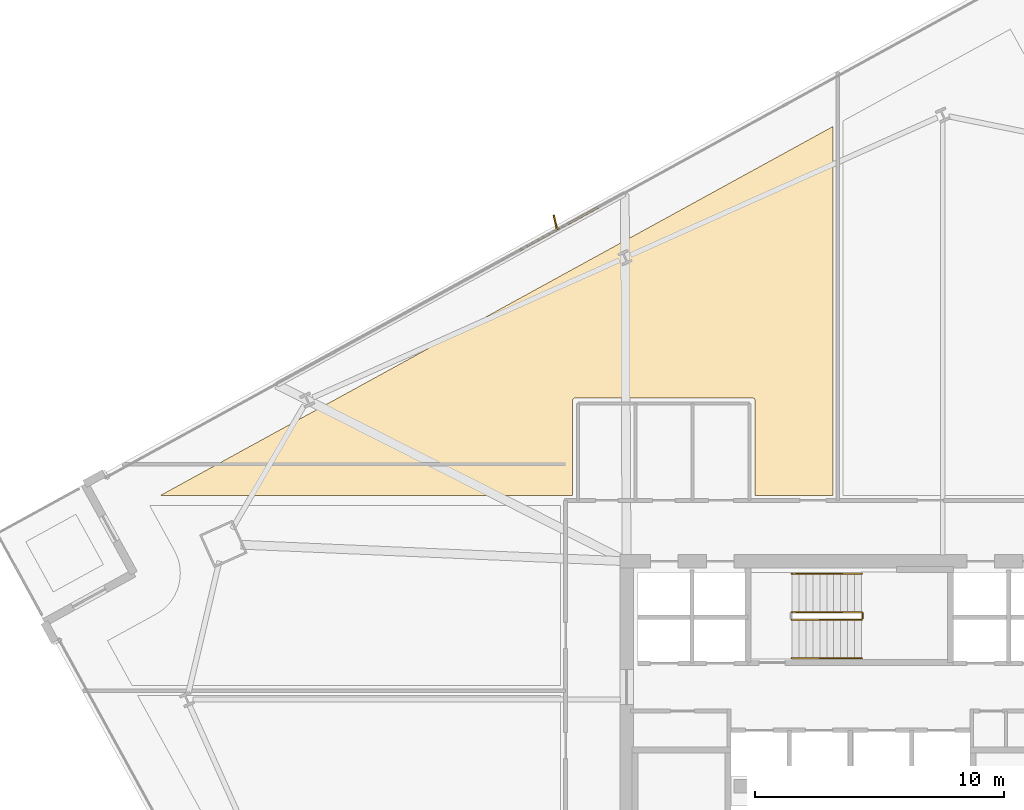
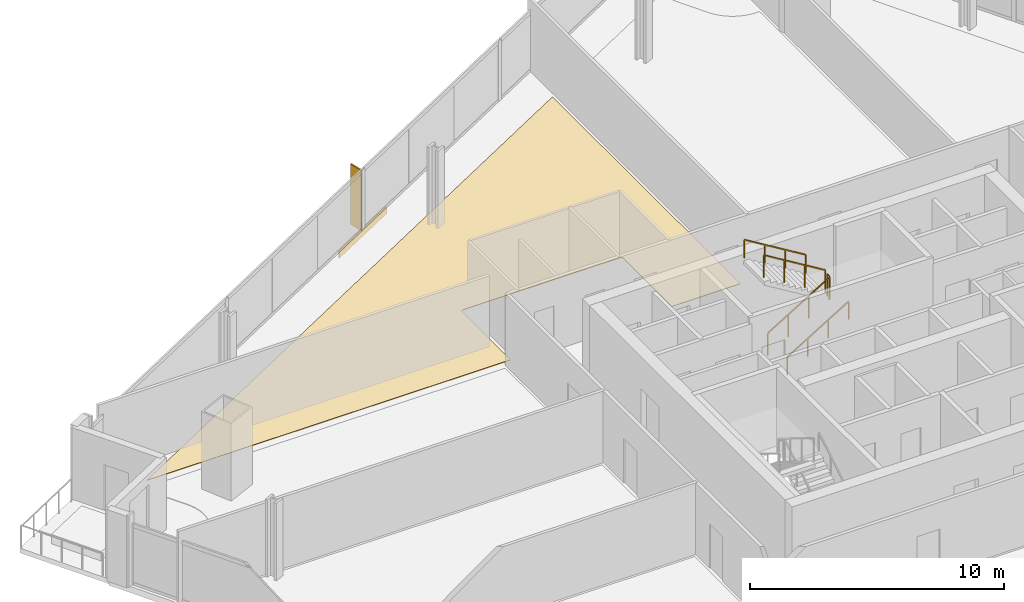
# One storey, part 32 of 33: 5 railings, 2 coverings, 1 shading device.
"""IFC4 building model written with IfcOpenShell, lengths in metres."""

from ifc_helpers import new_model, si_unit, direction, frame, origin, origin_2d, place, context, subcontext, project, spatial, polyline, rectangle, outline, extrude, source, transform, mapped, material, layer, layer_set, type_object, element, save


model = new_model("IFC4")

# Units and contexts
model_context = context("Model", 3, precision=1e-05, world=origin(), true_north=direction((0.0, 1.0)))
body_context = subcontext(model_context, "Body", "Model", "MODEL_VIEW")
ifc_project = project(units=[si_unit("LENGTHUNIT", "METRE"), si_unit("AREAUNIT", "SQUARE_METRE"), si_unit("VOLUMEUNIT", "CUBIC_METRE"), si_unit("PLANEANGLEUNIT", "RADIAN"), si_unit("MASSUNIT", "GRAM", prefix="KILO")], contexts=[model_context])

# Site, building, storey
site_placement = place(None, origin())
site = spatial("IfcSite", under=ifc_project, at=site_placement, CompositionType="ELEMENT")
building_placement = place(site_placement, origin())
building = spatial("IfcBuilding", under=site, at=building_placement, Name="Haldenkirk Collegiate Tower", CompositionType="ELEMENT")
storey_placement = place(building_placement, frame((0.0, 0.0, 124.199951171875)))
storey = spatial("IfcBuildingStorey", under=building, at=storey_placement, Name="L30", CompositionType="ELEMENT", Elevation=124.199951171875)

# Covering
ifc_material_1 = material(Name="Engineered collegiate oak acoustic flooring", Category="wood")
ifc_layer_1 = layer(ifc_material_1, 0.02197265625)
ifc_layer_set_1 = layer_set([ifc_layer_1], Name="Engineered collegiate oak acoustic flooring")
covering_type_1 = type_object("IfcCoveringType", Name="COV-FLOOR-TIMBER", PredefinedType="FLOORING", material=ifc_layer_set_1)
covering_1_placement = place(storey_placement, origin())
element("IfcCovering", 1, at=covering_1_placement, inside=storey, type_object=covering_type_1, Name="L30 academic room finish 05", PredefinedType="FLOORING", context=body_context, shape_type="SweptSolid", body=[
    extrude(outline(polyline([(32.169921875, 40.449951171875), (32.16943359375, 40.4619140625), (32.167724609375, 40.473388671875), (32.164794921875, 40.48486328125), (32.160888671875, 40.495849609375), (32.15576171875, 40.506591796875), (32.14990234375, 40.5166015625), (32.142822265625, 40.526123046875), (32.135009765625, 40.534912109375), (32.126220703125, 40.542724609375), (32.11669921875, 40.5498046875), (32.106689453125, 40.555908203125), (32.095947265625, 40.560791015625), (32.084716796875, 40.564697265625), (32.073486328125, 40.567626953125), (32.061767578125, 40.5693359375), (32.050048828125, 40.570068359375), (24.949951171875, 40.570068359375), (24.938232421875, 40.5693359375), (24.926513671875, 40.567626953125), (24.915283203125, 40.564697265625), (24.904052734375, 40.560791015625), (24.893310546875, 40.555908203125), (24.88330078125, 40.5498046875), (24.873779296875, 40.542724609375), (24.864990234375, 40.534912109375), (24.857177734375, 40.526123046875), (24.85009765625, 40.5166015625), (24.84423828125, 40.506591796875), (24.839111328125, 40.495849609375), (24.835205078125, 40.48486328125), (24.832275390625, 40.473388671875), (24.83056640625, 40.4619140625), (24.830078125, 40.449951171875), (24.830078125, 36.64990234375), (8.259521484375, 36.64990234375), (35.300048828125, 51.48486328125), (35.300048828125, 36.64990234375), (32.169921875, 36.64990234375), (32.169921875, 40.449951171875)])), origin(), (0.0, 0.0, 1.0), 0.02197265625),
])

# Railings
ifc_material_2 = material(Name="Painted architectural tubular steel", Category="steel")
railing_type_1 = type_object("IfcRailingType", Name="RLG-STAIR-GUARD-1100", PredefinedType="BALUSTRADE", material=ifc_material_2)
railing_1_placement = place(storey_placement, frame((33.64990234375, 31.64990234375, 0.17041015625)))
element("IfcRailing", 2, at=railing_1_placement, inside=storey, type_object=railing_type_1, Name="L30 ST-3 stair guard 1", PredefinedType="BALUSTRADE", context=body_context, shape_type="SweptSolid", body=[
    extrude(rectangle(XDim=0.048095703125, YDim=0.048095703125, at=origin_2d()), frame((0.0, 0.0, 1.076171875), z_axis=(0.854169791009, 0.0, 0.51999420009), x_axis=(0.0, 1.0, 0.0)), (0.0, 0.0, 1.0), 3.278076171875),
    extrude(rectangle(XDim=0.0419921875, YDim=0.0419921875, at=origin_2d()), origin(), (0.0, 0.0, 1.0), 1.052001953125),
    extrude(rectangle(XDim=0.0419921875, YDim=0.0419921875, at=origin_2d()), frame((0.933349609375, 0.0, 0.568115234375)), (0.0, 0.0, 1.0), 1.052001953125),
    extrude(rectangle(XDim=0.0419921875, YDim=0.0419921875, at=origin_2d()), frame((1.86669921875, 0.0, 1.136474609375)), (0.0, 0.0, 1.0), 1.052001953125),
    extrude(rectangle(XDim=0.0419921875, YDim=0.0419921875, at=origin_2d()), frame((2.800048828125, 0.0, 1.70458984375)), (0.0, 0.0, 1.0), 1.052001953125),
])
railing_2_placement = place(storey_placement, frame((36.5, 31.699951171875, 1.875)))
element("IfcRailing", 3, at=railing_2_placement, inside=storey, type_object=railing_type_1, Name="L30 ST-3 stair guard 2", PredefinedType="BALUSTRADE", context=body_context, shape_type="SweptSolid", body=[
    extrude(rectangle(XDim=0.048095703125, YDim=0.048095703125, at=origin_2d()), frame((0.0, 0.0, 1.076171875), z_axis=(0.0, 1.0, 0.0), x_axis=(-1.0, 0.0, 0.0)), (0.0, 0.0, 1.0), 0.199951171875),
    extrude(rectangle(XDim=0.0419921875, YDim=0.0419921875, at=origin_2d()), origin(), (0.0, 0.0, 1.0), 1.052001953125),
    extrude(rectangle(XDim=0.0419921875, YDim=0.0419921875, at=origin_2d()), frame((0.0, 0.199951171875, 0.0)), (0.0, 0.0, 1.0), 1.052001953125),
])
railing_3_placement = place(storey_placement, frame((36.449951171875, 31.949951171875, 2.04541015625)))
element("IfcRailing", 4, at=railing_3_placement, inside=storey, type_object=railing_type_1, Name="L30 ST-3 stair guard 3", PredefinedType="BALUSTRADE", context=body_context, shape_type="SweptSolid", body=[
    extrude(rectangle(XDim=0.048095703125, YDim=0.048095703125, at=origin_2d()), frame((0.0, 0.0, 1.076171875), z_axis=(-0.854169791009, 0.0, 0.51999420009), x_axis=(0.0, -1.0, 0.0)), (0.0, 0.0, 1.0), 3.278076171875),
    extrude(rectangle(XDim=0.0419921875, YDim=0.0419921875, at=origin_2d()), origin(), (0.0, 0.0, 1.0), 1.052001953125),
    extrude(rectangle(XDim=0.0419921875, YDim=0.0419921875, at=origin_2d()), frame((-0.933349609375, 0.0, 0.568115234375)), (0.0, 0.0, 1.0), 1.052001953125),
    extrude(rectangle(XDim=0.0419921875, YDim=0.0419921875, at=origin_2d()), frame((-1.86669921875, 0.0, 1.136474609375)), (0.0, 0.0, 1.0), 1.052001953125),
    extrude(rectangle(XDim=0.0419921875, YDim=0.0419921875, at=origin_2d()), frame((-2.800048828125, 0.0, 1.70458984375)), (0.0, 0.0, 1.0), 1.052001953125),
])
railing_type_2 = type_object("IfcRailingType", Name="RLG-STAIR-HANDRAIL-900", PredefinedType="HANDRAIL", material=ifc_material_2)
railing_4_placement = place(storey_placement, frame((33.64990234375, 30.10009765625, 0.17041015625)))
element("IfcRailing", 5, at=railing_4_placement, inside=storey, type_object=railing_type_2, Name="L30 ST-3 stair handrail 1", PredefinedType="HANDRAIL", context=body_context, shape_type="SweptSolid", body=[
    extrude(rectangle(XDim=0.048095703125, YDim=0.048095703125, at=origin_2d()), frame((0.0, 0.0, 0.8759765625), z_axis=(0.854169791009, 0.0, 0.51999420009), x_axis=(0.0, 1.0, 0.0)), (0.0, 0.0, 1.0), 3.278076171875),
    extrude(rectangle(XDim=0.0419921875, YDim=0.0419921875, at=origin_2d()), origin(), (0.0, 0.0, 1.0), 0.851806640625),
    extrude(rectangle(XDim=0.0419921875, YDim=0.0419921875, at=origin_2d()), frame((0.933349609375, 0.0, 0.568115234375)), (0.0, 0.0, 1.0), 0.851806640625),
    extrude(rectangle(XDim=0.0419921875, YDim=0.0419921875, at=origin_2d()), frame((1.86669921875, 0.0, 1.136474609375)), (0.0, 0.0, 1.0), 0.851806640625),
    extrude(rectangle(XDim=0.0419921875, YDim=0.0419921875, at=origin_2d()), frame((2.800048828125, 0.0, 1.70458984375)), (0.0, 0.0, 1.0), 0.851806640625),
])
railing_5_placement = place(storey_placement, frame((36.449951171875, 33.5, 2.04541015625)))
element("IfcRailing", 6, at=railing_5_placement, inside=storey, type_object=railing_type_2, Name="L30 ST-3 stair handrail 2", PredefinedType="HANDRAIL", context=body_context, shape_type="SweptSolid", body=[
    extrude(rectangle(XDim=0.048095703125, YDim=0.048095703125, at=origin_2d()), frame((0.0, 0.0, 0.8759765625), z_axis=(-0.854169791009, 0.0, 0.51999420009), x_axis=(0.0, -1.0, 0.0)), (0.0, 0.0, 1.0), 3.278076171875),
    extrude(rectangle(XDim=0.0419921875, YDim=0.0419921875, at=origin_2d()), origin(), (0.0, 0.0, 1.0), 0.851806640625),
    extrude(rectangle(XDim=0.0419921875, YDim=0.0419921875, at=origin_2d()), frame((-0.933349609375, 0.0, 0.568115234375)), (0.0, 0.0, 1.0), 0.851806640625),
    extrude(rectangle(XDim=0.0419921875, YDim=0.0419921875, at=origin_2d()), frame((-1.86669921875, 0.0, 1.136474609375)), (0.0, 0.0, 1.0), 0.851806640625),
    extrude(rectangle(XDim=0.0419921875, YDim=0.0419921875, at=origin_2d()), frame((-2.800048828125, 0.0, 1.70458984375)), (0.0, 0.0, 1.0), 0.851806640625),
])

# Covering
ifc_material_3 = material(Name="Anodised architectural bronze aluminium", Category="aluminium")
ifc_layer_2 = layer(ifc_material_3, 0.06005859375)
ifc_layer_set_2 = layer_set([ifc_layer_2], Name="Anodised architectural bronze aluminium")
covering_type_2 = type_object("IfcCoveringType", Name="COV-CLAD-BRONZE-60", PredefinedType="CLADDING", material=ifc_layer_set_2)
shared_shape_1 = source(origin(), body_context, "Body", "SweptSolid", [
    extrude(rectangle(XDim=3.60009765625, YDim=0.06005859375, at=origin_2d()), origin(), (0.0, 0.0, 1.0), 0.300048828125),
])
covering_2_placement = place(storey_placement, frame((24.2783203125, 47.36572265625, -0.2998046875), z_axis=(0.0, 0.0, 1.0), x_axis=(0.876726755708, 0.480988768919, 0.0)))
element("IfcCovering", 7, at=covering_2_placement, inside=storey, type_object=covering_type_2, Name="L30 architectural bronze spandrel cladding N", PredefinedType="CLADDING", context=body_context, shape_type="MappedRepresentation", body=[
    mapped(shared_shape_1, transform((0.0, 0.0, 0.0), x_axis=(1.0, 0.0, 0.0), y_axis=(0.0, 1.0, 0.0), z_axis=(0.0, 0.0, 1.0), scale=1.0)),
])

# Shading device
ifc_layer_3 = layer(ifc_material_3, 0.06494140625)
ifc_layer_set_3 = layer_set([ifc_layer_3], Name="Anodised architectural bronze aluminium")
shading_device_type = type_object("IfcShadingDeviceType", Name="SHD-FIN-BRONZE-620", PredefinedType="USERDEFINED", material=ifc_layer_set_3)
shared_shape_2 = source(origin(), body_context, "Body", "SweptSolid", [
    extrude(rectangle(XDim=0.6201171875, YDim=0.06494140625, at=origin_2d()), origin(), (0.0, 0.0, 1.0), 2.90087890625),
])
shading_device_placement = place(storey_placement, frame((24.136474609375, 47.62451171875, 0.0), z_axis=(0.0, 0.0, 1.0), x_axis=(-0.220697435022, 0.975342320509, 0.0)))
element("IfcShadingDevice", 8, at=shading_device_placement, inside=storey, type_object=shading_device_type, Name="L30 folded bronze solar fin 1", ObjectType="FIN", PredefinedType="USERDEFINED", context=body_context, shape_type="MappedRepresentation", body=[
    mapped(shared_shape_2, transform((0.0, 0.0, 0.0), x_axis=(1.0, 0.0, 0.0), y_axis=(0.0, 1.0, 0.0), z_axis=(0.0, 0.0, 1.0), scale=1.0)),
])

save(model, "model.ifc")
